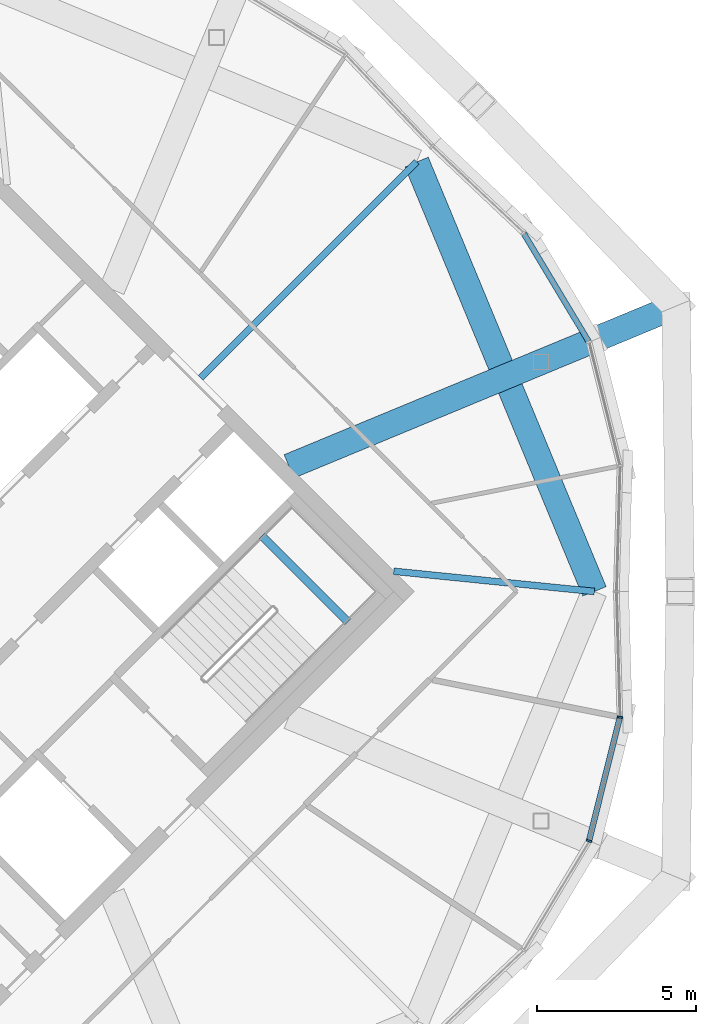
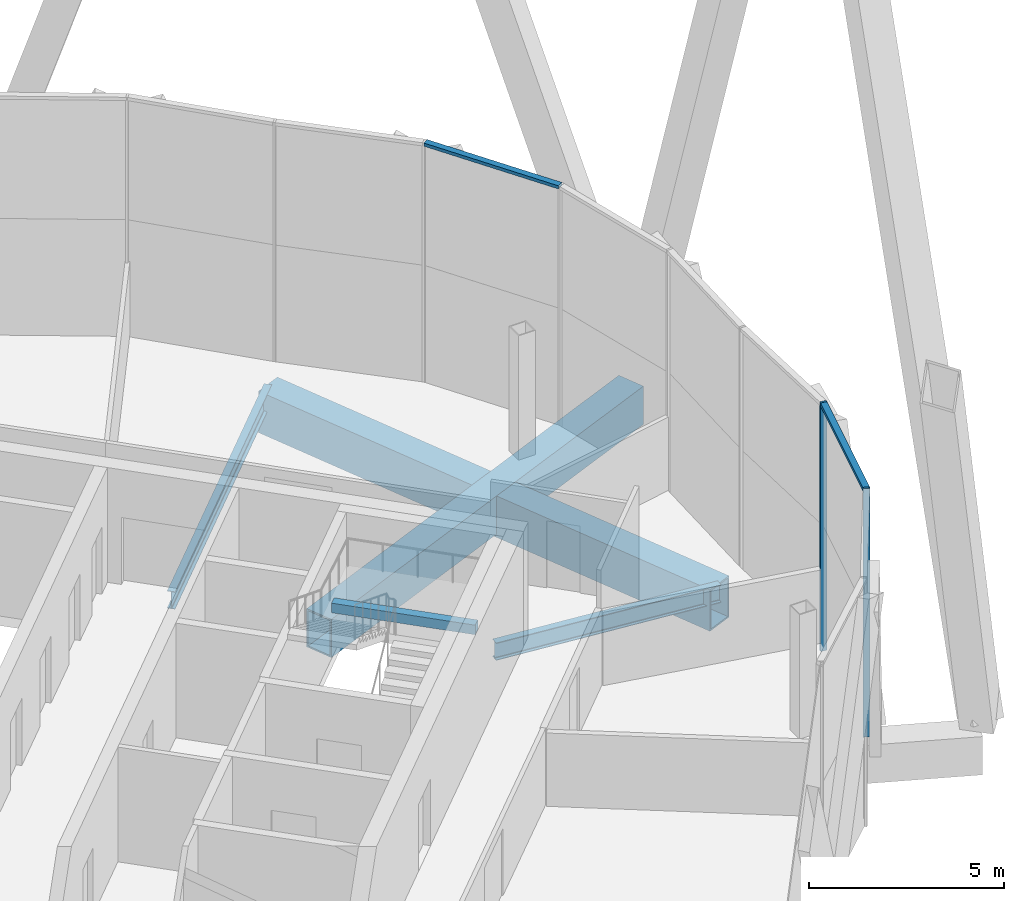
# One storey, part 31 of 53: 5 beams, 4 members, 2 elements without a shape of their own.
"""IFC4 building model written with IfcOpenShell, lengths in metres."""

from ifc_helpers import new_model, si_unit, direction, frame, origin, origin_2d, place, context, subcontext, project, spatial, rectangle, hollow_rectangle, i_section, extrude, material, material_profile, profile_set, type_object, element, aggregate, save


model = new_model("IFC4")

# Units and contexts
model_context = context("Model", 3, precision=1e-05, world=origin(), true_north=direction((0.0, 1.0)))
body_context = subcontext(model_context, "Body", "Model", "MODEL_VIEW")
ifc_project = project(units=[si_unit("LENGTHUNIT", "METRE"), si_unit("AREAUNIT", "SQUARE_METRE"), si_unit("VOLUMEUNIT", "CUBIC_METRE"), si_unit("PLANEANGLEUNIT", "RADIAN"), si_unit("MASSUNIT", "GRAM", prefix="KILO")], contexts=[model_context])

# Site, building, storey
site_placement = place(None, origin())
site = spatial("IfcSite", under=ifc_project, at=site_placement, CompositionType="ELEMENT")
building_placement = place(site_placement, origin())
building = spatial("IfcBuilding", under=site, at=building_placement, Name="Ogive Gate Towers", CompositionType="ELEMENT")
storey_placement = place(building_placement, frame((0.0, 0.0, 240.60009765625)))
storey = spatial("IfcBuildingStorey", under=building, at=storey_placement, Name="L57", CompositionType="ELEMENT", Elevation=240.60009765625)

# Beams
ifc_material_1 = material(Name="Steel SM460", Category="steel")
ifc_material_profile_1 = material_profile(ifc_material_1, hollow_rectangle(XDim=0.800048828125, YDim=1.300048828125, WallThickness=0.050048828125, at=origin_2d()), Name="BX 1300x800x50")
ifc_profile_set_1 = profile_set([ifc_material_profile_1], Name="Steel SM460")
beam_type_1 = type_object("IfcBeamType", Name="Edge girder BX 1300x800x50", PredefinedType="BEAM", material=ifc_profile_set_1)
beam_1_placement = place(storey_placement, frame((55.110107421875, 0.0, -0.9501953125), z_axis=(-0.38269921506, 0.923872994947, 0.0), x_axis=(-0.923872994947, -0.38269921506, 0.0)))
element("IfcBeam", 1, at=beam_1_placement, inside=storey, type_object=beam_type_1, Name="T2/L57/SBM020", PredefinedType="BEAM", context=body_context, shape_type="SweptSolid", body=[
    extrude(hollow_rectangle(XDim=0.800048828125, YDim=1.300048828125, WallThickness=0.050048828125, at=origin_2d()), origin(), (0.0, 0.0, 1.0), 14.626220703125),
])
ifc_material_2 = material(Name="Concrete C40/50", Category="concrete")
ifc_material_profile_2 = material_profile(ifc_material_2, rectangle(XDim=0.25, YDim=0.300048828125, at=origin_2d()), Name="RC 250x300")
ifc_profile_set_2 = profile_set([ifc_material_profile_2], Name="Concrete C40/50")
beam_type_2 = type_object("IfcBeamType", Name="Landing bearer RC 250x300", PredefinedType="BEAM", material=ifc_profile_set_2)
beam_2_placement = place(storey_placement, frame((47.349609375, -0.9541015625, 1.599853515625), z_axis=(-0.707106781187, 0.707106781187, 0.0), x_axis=(-0.707106781187, -0.707106781187, 0.0)))
element("IfcBeam", 2, at=beam_2_placement, inside=storey, type_object=beam_type_2, Name="T2 L57 stair 2 landing bearer 1", PredefinedType="BEAM", context=body_context, shape_type="SweptSolid", body=[
    extrude(rectangle(XDim=0.25, YDim=0.300048828125, at=origin_2d()), origin(), (0.0, 0.0, 1.0), 3.824951171875),
])
ifc_material_3 = material(Name="Steel SM355", Category="steel")
ifc_material_profile_3 = material_profile(ifc_material_3, i_section(OverallWidth=0.2099609375, OverallDepth=0.550048828125, WebThickness=0.010986328125, FlangeThickness=0.01708984375, FilletRadius=0.02392578125, at=origin_2d()), Name="IPE 550")
ifc_profile_set_3 = profile_set([ifc_material_profile_3], Name="Steel SM355")
beam_type_3 = type_object("IfcBeamType", Name="Radial floor beam IPE 550", PredefinedType="BEAM", material=ifc_profile_set_3)
beam_3_placement = place(storey_placement, frame((48.798583984375, 0.636474609375, -0.5751953125), z_axis=(0.994953773522, -0.100334383706, 0.0), x_axis=(0.100334383706, 0.994953773522, 0.0)))
element("IfcBeam", 3, at=beam_3_placement, inside=storey, type_object=beam_type_3, Name="T2/L57/SBM007", PredefinedType="BEAM", context=body_context, shape_type="SweptSolid", body=[
    extrude(i_section(OverallWidth=0.2099609375, OverallDepth=0.550048828125, WebThickness=0.010986328125, FlangeThickness=0.01708984375, FilletRadius=0.02392578125, at=origin_2d()), origin(), (0.0, 0.0, 1.0), 6.343505859375),
])
beam_4_placement = place(storey_placement, frame((42.717529296875, 6.717529296875, -0.5751953125), z_axis=(0.707106781187, 0.707106781187, 0.0), x_axis=(-0.707106781187, 0.707106781187, 0.0)))
element("IfcBeam", 4, at=beam_4_placement, inside=storey, type_object=beam_type_3, Name="T2/L57/SBM009", PredefinedType="BEAM", context=body_context, shape_type="SweptSolid", body=[
    extrude(i_section(OverallWidth=0.2099609375, OverallDepth=0.550048828125, WebThickness=0.010986328125, FlangeThickness=0.01708984375, FilletRadius=0.02392578125, at=origin_2d()), origin(), (0.0, 0.0, 1.0), 9.60986328125),
])

# Curtain wall, members
ifc_material_4 = material(Name="Pale metal aluminium", Category="aluminium")
curtain_wall_type = type_object("IfcCurtainWallType", Name="Tower unitised wall, high zone", PredefinedType="NOTDEFINED", material=ifc_material_4)
curtain_wall_1_placement = place(storey_placement, origin())
curtain_wall_1 = element("IfcCurtainWall", 5, at=curtain_wall_1_placement, inside=storey, type_object=curtain_wall_type, Name="CW2 T2 ECW08", PredefinedType="NOTDEFINED")
ifc_material_profile_4 = material_profile(ifc_material_4, rectangle(XDim=0.179931640625, YDim=0.06005859375, at=origin_2d()), Name="60 x 180 aluminium box")
ifc_profile_set_4 = profile_set([ifc_material_profile_4], Name="Pale metal aluminium")
member_type_1 = type_object("IfcMemberType", Name="Tower unitised wall, high zone mullion 60 x 180", PredefinedType="MULLION", material=ifc_profile_set_4)
member_1_placement = place(storey_placement, frame((54.940673828125, -7.845458984375, -0.300048828125), z_axis=(0.0, 0.0, 1.0), x_axis=(0.923879532511, -0.382683432365, 0.0)))
member_1 = element("IfcMember", 6, at=member_1_placement, type_object=member_type_1, Name="CW2 mullion", PredefinedType="MULLION", context=body_context, shape_type="SweptSolid", body=[
    extrude(rectangle(XDim=0.179931640625, YDim=0.06005859375, at=origin_2d()), origin(), (0.0, 0.0, 1.0), 7.800048828125),
])
member_2_placement = place(storey_placement, frame((55.912109375, -3.95263671875, -0.300048828125), z_axis=(0.0, 0.0, 1.0), x_axis=(0.994160384909, -0.107912599257, 0.0)))
member_2 = element("IfcMember", 7, at=member_2_placement, type_object=member_type_1, Name="CW2 mullion", PredefinedType="MULLION", context=body_context, shape_type="SweptSolid", body=[
    extrude(rectangle(XDim=0.179931640625, YDim=0.06005859375, at=origin_2d()), origin(), (0.0, 0.0, 1.0), 7.800048828125),
])

# Curtain wall, member
curtain_wall_2_placement = place(storey_placement, origin())
curtain_wall_2 = element("IfcCurtainWall", 8, at=curtain_wall_2_placement, inside=storey, type_object=curtain_wall_type, Name="CW2 T2 ECW01", PredefinedType="NOTDEFINED")
ifc_material_profile_5 = material_profile(ifc_material_4, rectangle(XDim=0.179931640625, YDim=0.10009765625, at=origin_2d()), Name="100 x 180 aluminium box")
ifc_profile_set_5 = profile_set([ifc_material_profile_5], Name="Pale metal aluminium")
member_type_2 = type_object("IfcMemberType", Name="Tower unitised wall, high zone transom 100 x 180", PredefinedType="USERDEFINED", material=ifc_profile_set_5)
member_3_placement = place(storey_placement, frame((54.92578125, 7.869873046875, 7.449951171875), z_axis=(-0.51482252034, 0.857296782072, 0.0), x_axis=(-0.857296782072, -0.51482252034, 0.0)))
member_3 = element("IfcMember", 9, at=member_3_placement, type_object=member_type_2, Name="CW2 transom", ObjectType="TRANSOM", PredefinedType="USERDEFINED", context=body_context, shape_type="SweptSolid", body=[
    extrude(rectangle(XDim=0.179931640625, YDim=0.10009765625, at=origin_2d()), origin(), (0.0, 0.0, 1.0), 3.955078125),
])
aggregate(curtain_wall_2, [member_3])

# Member
member_4_placement = place(storey_placement, frame((54.947509765625, -7.81787109375, 7.449951171875), z_axis=(0.24209986874, 0.970251335251, 0.0), x_axis=(-0.970251335251, 0.24209986874, 0.0)))
member_4 = element("IfcMember", 10, at=member_4_placement, type_object=member_type_2, Name="CW2 transom", ObjectType="TRANSOM", PredefinedType="USERDEFINED", context=body_context, shape_type="SweptSolid", body=[
    extrude(rectangle(XDim=0.179931640625, YDim=0.10009765625, at=origin_2d()), origin(), (0.0, 0.0, 1.0), 3.955078125),
])

aggregate(curtain_wall_1, [member_1, member_2, member_4])

# Beam
ifc_material_profile_6 = material_profile(ifc_material_1, hollow_rectangle(XDim=0.800048828125, YDim=1.199951171875, WallThickness=0.050048828125, at=origin_2d()), Name="BX 1200x800x50")
ifc_profile_set_6 = profile_set([ifc_material_profile_6], Name="Steel SM460")
beam_type_4 = type_object("IfcBeamType", Name="Transfer radial beam BX 1200x800x50", PredefinedType="BEAM", material=ifc_profile_set_6)
beam_5_placement = place(storey_placement, frame((45.5, 3.93505859375, -0.900146484375), z_axis=(0.923880669006, 0.382680688612, 0.0), x_axis=(-0.382680688612, 0.923880669006, 0.0)))
element("IfcBeam", 11, at=beam_5_placement, inside=storey, type_object=beam_type_4, Name="T2/L57/SBM008", PredefinedType="BEAM", context=body_context, shape_type="SweptSolid", body=[
    extrude(hollow_rectangle(XDim=0.800048828125, YDim=1.199951171875, WallThickness=0.050048828125, at=origin_2d()), origin(), (0.0, 0.0, 1.0), 13.177490234375),
])

save(model, "model.ifc")
